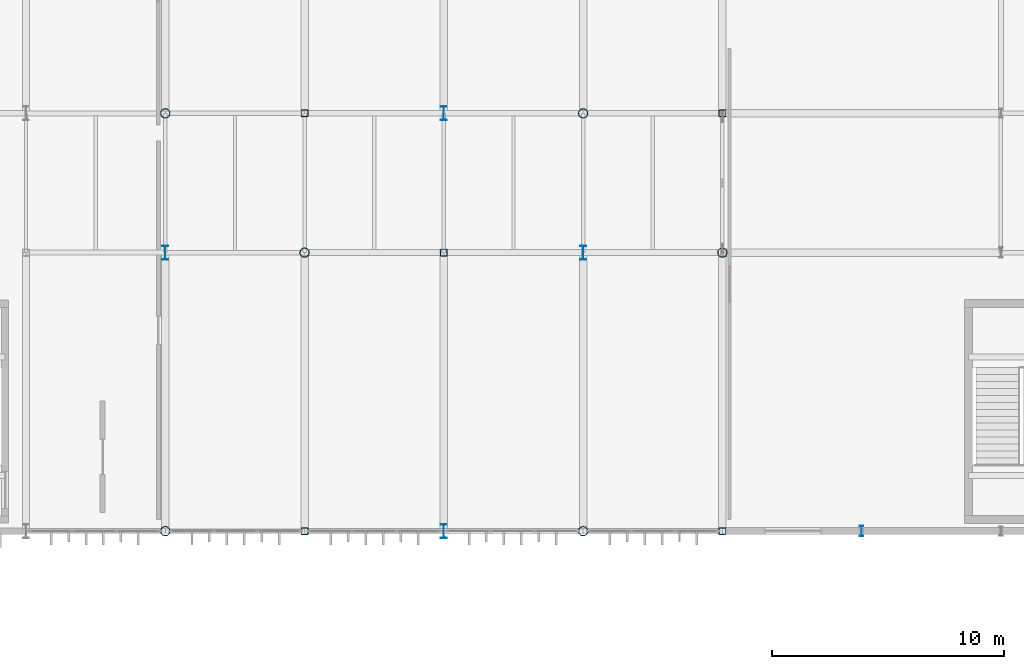
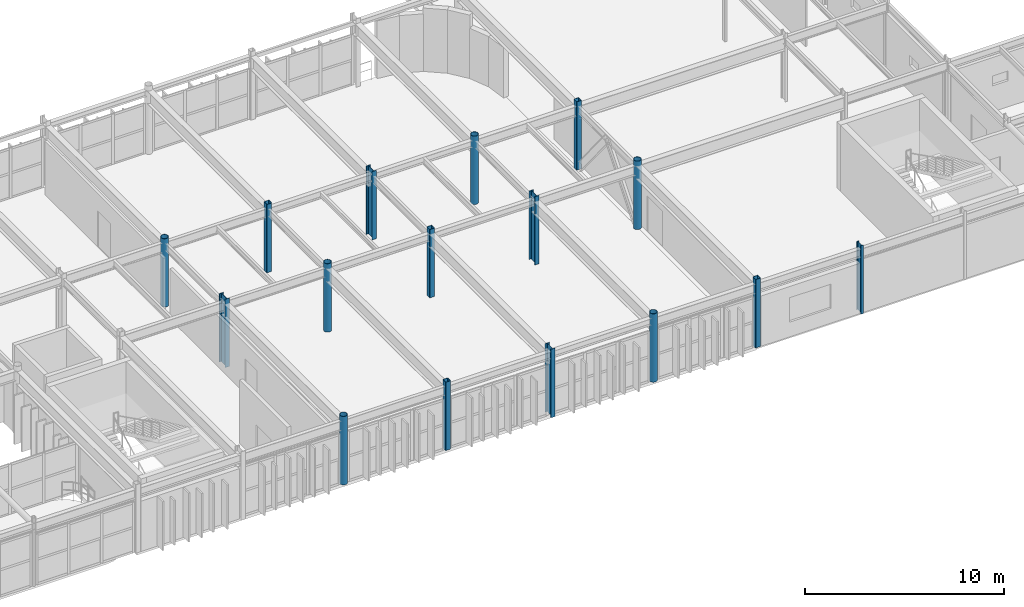
# One storey, part 16 of 116: 16 columns.
"""IFC4 building model written with IfcOpenShell, lengths in metres."""

from ifc_helpers import new_model, si_unit, direction, frame, origin, origin_2d, place, context, subcontext, project, spatial, hollow_rectangle, hollow_circle, i_section, extrude, material, material_profile, profile_set, type_object, element, save


model = new_model("IFC4")

# Units and contexts
model_context = context("Model", 3, precision=1e-05, world=origin(), true_north=direction((0.0, 1.0)))
body_context = subcontext(model_context, "Body", "Model", "MODEL_VIEW")
ifc_project = project(units=[si_unit("LENGTHUNIT", "METRE"), si_unit("AREAUNIT", "SQUARE_METRE"), si_unit("VOLUMEUNIT", "CUBIC_METRE"), si_unit("PLANEANGLEUNIT", "RADIAN"), si_unit("MASSUNIT", "GRAM", prefix="KILO")], contexts=[model_context])

# Site, building, storey
site_placement = place(None, origin())
site = spatial("IfcSite", under=ifc_project, at=site_placement, CompositionType="ELEMENT")
building_placement = place(site_placement, origin())
building = spatial("IfcBuilding", under=site, at=building_placement, Name="Varnakota Square Police Headquarters", CompositionType="ELEMENT")
storey_placement = place(building_placement, frame((0.0, 0.0, 9.300048828125)))
storey = spatial("IfcBuildingStorey", under=building, at=storey_placement, Name="L02", CompositionType="ELEMENT", Elevation=9.300048828125)

# Columns
ifc_material = material(Name="Steel IS 2062 Grade 350", Category="steel")
ifc_material_profile_1 = material_profile(ifc_material, hollow_circle(Radius=0.203125, WallThickness=0.01611328125, at=origin_2d()), Name="CHS 406.4x16.0")
ifc_profile_set_1 = profile_set([ifc_material_profile_1], Name="Steel IS 2062 Grade 350")
column_type_1 = type_object("IfcColumnType", Name="COL-CHS406", PredefinedType="COLUMN", material=ifc_profile_set_1)
for number, where, z_axis, x_axis, name in (
    (1, (72.0, 69.0, 0.0), (0.0, 0.0, 1.0), (1.0, 0.0, 0.0), "Column X0720-Y0690 L02"),
    (2, (72.0, 87.0, 0.0), (0.0, 0.0, 1.0), (1.0, 0.0, 0.0), "Column X0720-Y0870 L02"),
    (3, (78.0, 81.0, 0.0), (0.0, 0.0, 1.0), (1.0, 0.0, 0.0), "Column X0780-Y0810 L02"),
    (4, (90.0, 69.0, 0.0), (0.0, 0.0, 1.0), (1.0, 0.0, 0.0), "Column X0900-Y0690 L02"),
    (5, (90.0, 87.0, 0.0), (0.0, 0.0, 1.0), (1.0, 0.0, 0.0), "Column X0900-Y0870 L02"),
    (6, (96.0, 81.0, 0.0), (0.0, 0.0, 1.0), (1.0, 0.0, 0.0), "Column X0960-Y0810 L02"),
):
    element("IfcColumn", number, at=place(storey_placement, frame(where, z_axis=z_axis, x_axis=x_axis)), inside=storey, type_object=column_type_1, Name=name, PredefinedType="COLUMN", context=body_context, shape_type="SweptSolid", body=[
        extrude(hollow_circle(Radius=0.203125, WallThickness=0.01611328125, at=origin_2d()), origin(), (0.0, 0.0, 1.0), 4.199951171875),
    ])
ifc_material_profile_2 = material_profile(ifc_material, i_section(OverallWidth=0.14990234375, OverallDepth=0.449951171875, WebThickness=0.009521484375, FlangeThickness=0.017333984375, FilletRadius=0.014892578125, at=origin_2d()), Name="ISMB 450")
ifc_profile_set_2 = profile_set([ifc_material_profile_2], Name="Steel IS 2062 Grade 350")
column_type_2 = type_object("IfcColumnType", Name="COL-ISMB450", PredefinedType="COLUMN", material=ifc_profile_set_2)
column_placement = place(storey_placement, frame((102.0, 69.0, 0.0), z_axis=(0.0, 0.0, 1.0), x_axis=(1.0, 0.0, 0.0)))
element("IfcColumn", 7, at=column_placement, inside=storey, type_object=column_type_2, Name="Column X1020-Y0690 L02", PredefinedType="COLUMN", context=body_context, shape_type="SweptSolid", body=[
    extrude(i_section(OverallWidth=0.14990234375, OverallDepth=0.449951171875, WebThickness=0.009521484375, FlangeThickness=0.017333984375, FilletRadius=0.014892578125, at=origin_2d()), origin(), (0.0, 0.0, 1.0), 4.199951171875),
])
ifc_material_profile_3 = material_profile(ifc_material, i_section(OverallWidth=0.25, OverallDepth=0.60009765625, WebThickness=0.01171875, FlangeThickness=0.023681640625, FilletRadius=0.01708984375, at=origin_2d()), Name="ISWB 600")
ifc_profile_set_3 = profile_set([ifc_material_profile_3], Name="Steel IS 2062 Grade 350")
column_type_3 = type_object("IfcColumnType", Name="COL-ISWB600", PredefinedType="COLUMN", material=ifc_profile_set_3)
for number, where, z_axis, x_axis, name in (
    (8, (72.0, 81.0, 0.0), (0.0, 0.0, 1.0), (1.0, 0.0, 0.0), "Column X0720-Y0810 L02"),
    (9, (84.0, 69.0, 0.0), (0.0, 0.0, 1.0), (1.0, 0.0, 0.0), "Column X0840-Y0690 L02"),
    (10, (84.0, 87.0, 0.0), (0.0, 0.0, 1.0), (1.0, 0.0, 0.0), "Column X0840-Y0870 L02"),
    (11, (90.0, 81.0, 0.0), (0.0, 0.0, 1.0), (1.0, 0.0, 0.0), "Column X0900-Y0810 L02"),
):
    element("IfcColumn", number, at=place(storey_placement, frame(where, z_axis=z_axis, x_axis=x_axis)), inside=storey, type_object=column_type_3, Name=name, PredefinedType="COLUMN", context=body_context, shape_type="SweptSolid", body=[
        extrude(i_section(OverallWidth=0.25, OverallDepth=0.60009765625, WebThickness=0.01171875, FlangeThickness=0.023681640625, FilletRadius=0.01708984375, at=origin_2d()), origin(), (0.0, 0.0, 1.0), 4.199951171875),
    ])
ifc_material_profile_4 = material_profile(ifc_material, hollow_rectangle(XDim=0.300048828125, YDim=0.300048828125, WallThickness=0.01611328125, InnerFilletRadius=0.01611328125, OuterFilletRadius=0.031982421875, at=origin_2d()), Name="SHS 300x300x16")
ifc_profile_set_4 = profile_set([ifc_material_profile_4], Name="Steel IS 2062 Grade 350")
column_type_4 = type_object("IfcColumnType", Name="COL-SHS300", PredefinedType="COLUMN", material=ifc_profile_set_4)
for number, where, z_axis, x_axis, name in (
    (12, (78.0, 69.0, 0.0), (0.0, 0.0, 1.0), (1.0, 0.0, 0.0), "Column X0780-Y0690 L02"),
    (13, (78.0, 87.0, 0.0), (0.0, 0.0, 1.0), (1.0, 0.0, 0.0), "Column X0780-Y0870 L02"),
    (14, (84.0, 81.0, 0.0), (0.0, 0.0, 1.0), (1.0, 0.0, 0.0), "Column X0840-Y0810 L02"),
    (15, (96.0, 69.0, 0.0), (0.0, 0.0, 1.0), (1.0, 0.0, 0.0), "Column X0960-Y0690 L02"),
    (16, (96.0, 87.0, 0.0), (0.0, 0.0, 1.0), (1.0, 0.0, 0.0), "Column X0960-Y0870 L02"),
):
    element("IfcColumn", number, at=place(storey_placement, frame(where, z_axis=z_axis, x_axis=x_axis)), inside=storey, type_object=column_type_4, Name=name, PredefinedType="COLUMN", context=body_context, shape_type="SweptSolid", body=[
        extrude(hollow_rectangle(XDim=0.300048828125, YDim=0.300048828125, WallThickness=0.01611328125, InnerFilletRadius=0.01611328125, OuterFilletRadius=0.031982421875, at=origin_2d()), origin(), (0.0, 0.0, 1.0), 4.199951171875),
    ])

save(model, "model.ifc")
